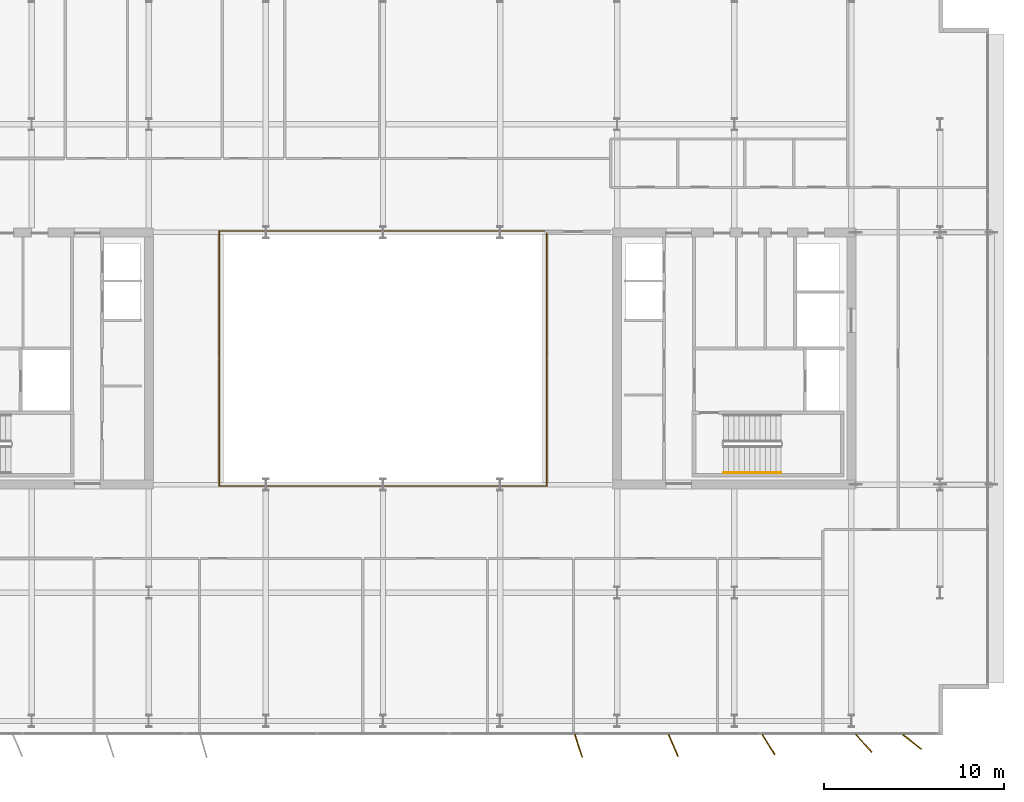
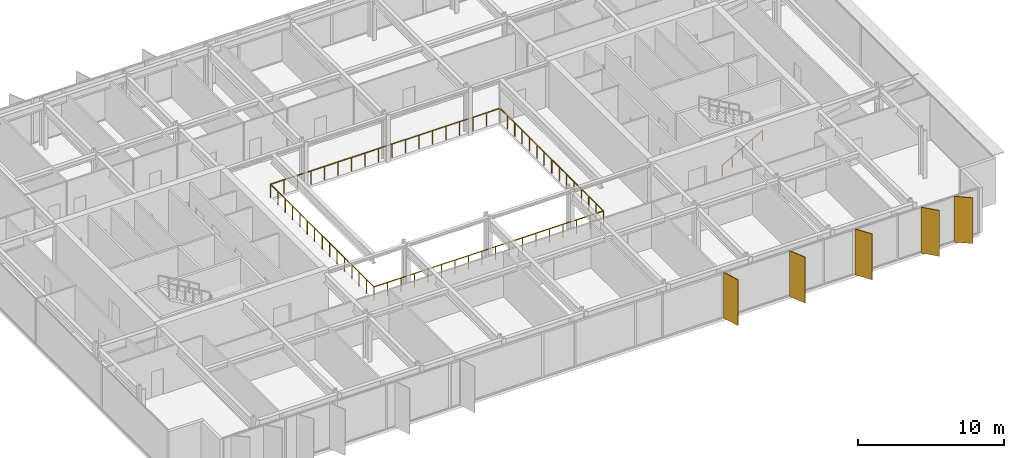
# One storey, part 18 of 20: 5 shading devices, 3 railings.
"""IFC4 building model written with IfcOpenShell, lengths in metres."""

import ifcopenshell
import ifcopenshell.guid

model = None  # the IFC model being written
_history = None  # IfcOwnerHistory: only IFC2X3 demands one
_inside = {}  # id of a spatial element -> (the spatial element, [elements in it])
_under = {}  # id of a project, library or spatial element -> (it, [spatial elements below it])
_declared = {}  # id of a project -> (the project, [libraries it declares])
_typed = {}  # id of a type object -> (the type object, [elements of that type])
_made_of = {}  # id of a material, layer set ... -> (it, [elements and type objects made of it])


def new_model(schema):
    """Start an empty IFC model of exactly this schema.

    Asked for "IFC4X3", IfcOpenShell would pick the latest addendum, in which some entities
    have other attributes; the version numbers below select the first issue.
    IFC2X3 requires an IfcOwnerHistory on every rooted entity: one is made here for all.
    """
    global model, _history
    if schema == "IFC4X3":
        model = ifcopenshell.file(schema_version=(4, 3, 0, 0))
    else:
        model = ifcopenshell.file(schema=schema)
    _inside.clear()
    _under.clear()
    _declared.clear()
    _typed.clear()
    _made_of.clear()
    _history = None
    if model.schema == "IFC2X3":
        org = make("IfcOrganization", Name="unknown")
        user = make(
            "IfcPersonAndOrganization",
            ThePerson=make("IfcPerson", FamilyName="unknown"),
            TheOrganization=org,
        )
        app = make(
            "IfcApplication",
            ApplicationDeveloper=org,
            Version="unknown",
            ApplicationFullName="unknown",
            ApplicationIdentifier="unknown",
        )
        _history = make(
            "IfcOwnerHistory",
            OwningUser=user,
            OwningApplication=app,
            ChangeAction="ADDED",
            CreationDate=0,
        )
    return model


def make(cls, **values):
    """One entity of the class cls with the attributes given. An attribute that is None is left unset."""
    return model.create_entity(
        cls, **{name: value for name, value in values.items() if value is not None}
    )


def rooted(cls, **values):
    """An entity with a GlobalId (a new one), such as an element, a storey or a relation."""
    return make(cls, GlobalId=ifcopenshell.guid.new(), OwnerHistory=_history, **values)


def si_unit(unit_type, name, prefix=None):
    """IfcSIUnit, for example si_unit("LENGTHUNIT", "METRE", prefix="MILLI")."""
    return make("IfcSIUnit", UnitType=unit_type, Prefix=prefix, Name=name)


def assignment(units):
    """IfcUnitAssignment: the units of a project."""
    return None if units is None else make("IfcUnitAssignment", Units=units)


def point(xyz):
    """IfcCartesianPoint."""
    return None if xyz is None else make("IfcCartesianPoint", Coordinates=xyz)


def direction(xyz):
    """IfcDirection."""
    return None if xyz is None else make("IfcDirection", DirectionRatios=xyz)


def frame(location, z_axis=None, x_axis=None):
    """IfcAxis2Placement3D, a coordinate frame: its origin and axes. An axis left out is left unset."""
    return make(
        "IfcAxis2Placement3D",
        Location=point(location),
        Axis=direction(z_axis),
        RefDirection=direction(x_axis),
    )


def frame_2d(location, x_axis=None):
    """IfcAxis2Placement2D, a coordinate frame in the plane: its origin and x axis."""
    return make(
        "IfcAxis2Placement2D", Location=point(location), RefDirection=direction(x_axis)
    )


def origin():
    """The frame at (0, 0, 0) with its axes left unset."""
    return frame((0.0, 0.0, 0.0))


def origin_2d():
    """The frame at (0, 0) in the plane with its x axis left unset."""
    return frame_2d((0.0, 0.0))


def place(relative_to, where):
    """IfcLocalPlacement: puts the frame where relative to a parent placement (None: the world)."""
    return make(
        "IfcLocalPlacement", PlacementRelTo=relative_to, RelativePlacement=where
    )


def context(
    kind, dimensions, precision=None, world=None, true_north=None, identifier=None
):
    """IfcGeometricRepresentationContext, for example the 3D "Model" context."""
    return make(
        "IfcGeometricRepresentationContext",
        ContextIdentifier=identifier,
        ContextType=kind,
        CoordinateSpaceDimension=dimensions,
        Precision=precision,
        WorldCoordinateSystem=world,
        TrueNorth=true_north,
    )


def subcontext(parent, identifier, kind, view, scale=None):
    """IfcGeometricRepresentationSubContext, for example "Body" below "Model"."""
    return make(
        "IfcGeometricRepresentationSubContext",
        ContextIdentifier=identifier,
        ContextType=kind,
        ParentContext=parent,
        TargetScale=scale,
        TargetView=view,
    )


def project(units=None, contexts=None):
    """IfcProject with its units and contexts."""
    return rooted(
        "IfcProject",
        Name="project",
        RepresentationContexts=contexts,
        UnitsInContext=assignment(units),
    )


def spatial(cls, under=None, at=None, **own):
    """A site, building, storey or space (cls), placed at a placement, below another one or the project."""
    s = rooted(cls, ObjectPlacement=at, **own)
    if under is not None:
        _under.setdefault(under.id(), (under, []))[1].append(s)
    return s


def profile(cls, at=None, kind="AREA", **sizes):
    """A parametric profile (cls). Its sizes go by their IFC names, for example OverallWidth=200.0."""
    return make(cls, ProfileType=kind, Position=at, **sizes)


def rectangle(**sizes):
    """IfcRectangleProfileDef."""
    return profile("IfcRectangleProfileDef", **sizes)


def circle(**sizes):
    """IfcCircleProfileDef."""
    return profile("IfcCircleProfileDef", **sizes)


def extrude(swept, where, along, depth):
    """IfcExtrudedAreaSolid: the profile swept, set in the frame where, extruded along a direction by depth."""
    return make(
        "IfcExtrudedAreaSolid",
        SweptArea=swept,
        Position=where,
        ExtrudedDirection=direction(along),
        Depth=depth,
    )


def shape(context_of_items, identifier, shape_type, items):
    """IfcShapeRepresentation: the items that make up one representation, for example the "Body"."""
    return make(
        "IfcShapeRepresentation",
        ContextOfItems=context_of_items,
        RepresentationIdentifier=identifier,
        RepresentationType=shape_type,
        Items=items,
    )


def material(Name=None, Category=None):
    """IfcMaterial."""
    return make("IfcMaterial", Name=Name, Category=Category)


def layer(
    of_material, thickness, ventilated=None, Name=None, Category=None, Priority=None
):
    """IfcMaterialLayer: one layer of a wall or slab, of a material (None: an air gap)."""
    return make(
        "IfcMaterialLayer",
        Material=of_material,
        LayerThickness=thickness,
        IsVentilated=ventilated,
        Name=Name,
        Category=Category,
        Priority=Priority,
    )


def layer_set(layers, Name=None):
    """IfcMaterialLayerSet."""
    return make("IfcMaterialLayerSet", MaterialLayers=layers, LayerSetName=Name)


def made_of(thing, what):
    """Note that an element or type object is made of a material, layer set ...; save() writes the relation."""
    if what is not None:
        _made_of.setdefault(what.id(), (what, []))[1].append(thing)
    return thing


def type_object(cls, material=None, **own):
    """A type object (cls), such as IfcWallType, which elements share."""
    return made_of(rooted(cls, **own), material)


def element(
    cls,
    number,
    at=None,
    inside=None,
    cuts=None,
    type_object=None,
    material=None,
    context=None,
    identifier="Body",
    shape_type=None,
    held_by="IfcProductDefinitionShape",
    body=None,
    shapes=None,
    **own,
):
    """One element of the class cls, such as IfcWall. Its Tag is "e" and its number.

    at: its placement. inside: the storey or other place that contains it. cuts: it is an
    opening in that element (IfcRelVoidsElement). A single representation is given by context,
    identifier, shape_type and body (its items); several are given by shapes. held_by: the class
    of the entity that holds the representations. save() writes the other relations.
    """
    e = rooted(cls, Tag="e%d" % number, ObjectPlacement=at, **own)
    if body is not None:
        shapes = [shape(context, identifier, shape_type, body)]
    if shapes is not None:
        e.Representation = make(held_by, Representations=shapes)
    if inside is not None:
        _inside.setdefault(inside.id(), (inside, []))[1].append(e)
    if cuts is not None:
        rooted(
            "IfcRelVoidsElement", RelatingBuildingElement=cuts, RelatedOpeningElement=e
        )
    if type_object is not None:
        _typed.setdefault(type_object.id(), (type_object, []))[1].append(e)
    return made_of(e, material)


def aggregate(whole, parts):
    """IfcRelAggregates: a whole, such as a stair, and the parts it consists of."""
    return rooted("IfcRelAggregates", RelatingObject=whole, RelatedObjects=parts)


def save(model, path):
    """Write the relations noted so far, then the file.

    IfcRelAggregates (storeys below a building ...), IfcRelContainedInSpatialStructure (elements
    in a storey), IfcRelDefinesByType, IfcRelAssociatesMaterial and IfcRelDeclares: one each for
    every whole, place, type object, material and project.
    """
    for whole, parts in _under.values():
        aggregate(whole, parts)
    for where, things in _inside.values():
        rooted(
            "IfcRelContainedInSpatialStructure",
            RelatedElements=things,
            RelatingStructure=where,
        )
    for kind, things in _typed.values():
        rooted("IfcRelDefinesByType", RelatedObjects=things, RelatingType=kind)
    for what, things in _made_of.values():
        rooted("IfcRelAssociatesMaterial", RelatedObjects=things, RelatingMaterial=what)
    for by, libraries in _declared.values():
        rooted("IfcRelDeclares", RelatingContext=by, RelatedDefinitions=libraries)
    model.write(path)


model = new_model("IFC4")

# Units and contexts
model_context = context("Model", 3, precision=1e-05, world=origin(), true_north=direction((0.0, 1.0)))
body_context = subcontext(model_context, "Body", "Model", "MODEL_VIEW")
ifc_project = project(units=[si_unit("LENGTHUNIT", "METRE"), si_unit("AREAUNIT", "SQUARE_METRE"), si_unit("VOLUMEUNIT", "CUBIC_METRE"), si_unit("PLANEANGLEUNIT", "RADIAN"), si_unit("MASSUNIT", "GRAM", prefix="KILO")], contexts=[model_context])

# Site, building, storey
site_placement = place(None, origin())
site = spatial("IfcSite", under=ifc_project, at=site_placement, CompositionType="ELEMENT")
building_placement = place(site_placement, origin())
building = spatial("IfcBuilding", under=site, at=building_placement, Name="Putna Gate Headquarters", CompositionType="ELEMENT")
storey_placement = place(building_placement, frame((0.0, 0.0, 282.39990234375)))
storey = spatial("IfcBuildingStorey", under=building, at=storey_placement, Name="L71", CompositionType="ELEMENT", Elevation=282.39990234375)

# Railings
ifc_material_1 = material(Name="Anodised bronze and laminated glass atrium balustrade", Category="glass")
railing_type_1 = type_object("IfcRailingType", Name="RAIL-ATRIUM-GUARD-1150", PredefinedType="GUARDRAIL", material=ifc_material_1)
railing_1_placement = place(storey_placement, frame((29.919921875, 25.969970703125, 0.0)))
element("IfcRailing", 1, at=railing_1_placement, inside=storey, type_object=railing_type_1, Name="L71 Central Atrium Glazed Balustrade South", PredefinedType="GUARDRAIL", context=body_context, shape_type="SweptSolid", body=[
    extrude(circle(Radius=0.02392578125, at=origin_2d()), frame((0.0, 0.0, 1.1259765625), z_axis=(0.0, -1.0, 0.0), x_axis=(1.0, 0.0, 0.0)), (0.0, 0.0, 1.0), 7.050048828125),
    extrude(circle(Radius=0.02392578125, at=origin_2d()), frame((0.0, -7.050048828125, 1.1259765625), z_axis=(1.0, 0.0, 0.0), x_axis=(0.0, 1.0, 0.0)), (0.0, 0.0, 1.0), 18.16015625),
    extrude(circle(Radius=0.02392578125, at=origin_2d()), frame((18.16015625, -7.050048828125, 1.1259765625), z_axis=(0.0, 1.0, 0.0), x_axis=(-1.0, 0.0, 0.0)), (0.0, 0.0, 1.0), 7.050048828125),
    extrude(circle(Radius=0.02099609375, at=origin_2d()), origin(), (0.0, 0.0, 1.0), 1.101806640625),
    extrude(circle(Radius=0.02099609375, at=origin_2d()), frame((0.0, -1.007080078125, 0.0)), (0.0, 0.0, 1.0), 1.101806640625),
    extrude(circle(Radius=0.02099609375, at=origin_2d()), frame((0.0, -2.014404296875, 0.0)), (0.0, 0.0, 1.0), 1.101806640625),
    extrude(circle(Radius=0.02099609375, at=origin_2d()), frame((0.0, -3.021484375, 0.0)), (0.0, 0.0, 1.0), 1.101806640625),
    extrude(circle(Radius=0.02099609375, at=origin_2d()), frame((0.0, -4.028564453125, 0.0)), (0.0, 0.0, 1.0), 1.101806640625),
    extrude(circle(Radius=0.02099609375, at=origin_2d()), frame((0.0, -5.03564453125, 0.0)), (0.0, 0.0, 1.0), 1.101806640625),
    extrude(circle(Radius=0.02099609375, at=origin_2d()), frame((0.0, -6.04296875, 0.0)), (0.0, 0.0, 1.0), 1.101806640625),
    extrude(circle(Radius=0.02099609375, at=origin_2d()), frame((0.0, -7.050048828125, 0.0)), (0.0, 0.0, 1.0), 1.101806640625),
    extrude(circle(Radius=0.02099609375, at=origin_2d()), frame((1.068359375, -7.050048828125, 0.0)), (0.0, 0.0, 1.0), 1.101806640625),
    extrude(circle(Radius=0.02099609375, at=origin_2d()), frame((2.136474609375, -7.050048828125, 0.0)), (0.0, 0.0, 1.0), 1.101806640625),
    extrude(circle(Radius=0.02099609375, at=origin_2d()), frame((3.204833984375, -7.050048828125, 0.0)), (0.0, 0.0, 1.0), 1.101806640625),
    extrude(circle(Radius=0.02099609375, at=origin_2d()), frame((4.27294921875, -7.050048828125, 0.0)), (0.0, 0.0, 1.0), 1.101806640625),
    extrude(circle(Radius=0.02099609375, at=origin_2d()), frame((5.34130859375, -7.050048828125, 0.0)), (0.0, 0.0, 1.0), 1.101806640625),
    extrude(circle(Radius=0.02099609375, at=origin_2d()), frame((6.409423828125, -7.050048828125, 0.0)), (0.0, 0.0, 1.0), 1.101806640625),
    extrude(circle(Radius=0.02099609375, at=origin_2d()), frame((7.477783203125, -7.050048828125, 0.0)), (0.0, 0.0, 1.0), 1.101806640625),
    extrude(circle(Radius=0.02099609375, at=origin_2d()), frame((8.5458984375, -7.050048828125, 0.0)), (0.0, 0.0, 1.0), 1.101806640625),
    extrude(circle(Radius=0.02099609375, at=origin_2d()), frame((9.6142578125, -7.050048828125, 0.0)), (0.0, 0.0, 1.0), 1.101806640625),
    extrude(circle(Radius=0.02099609375, at=origin_2d()), frame((10.682373046875, -7.050048828125, 0.0)), (0.0, 0.0, 1.0), 1.101806640625),
    extrude(circle(Radius=0.02099609375, at=origin_2d()), frame((11.750732421875, -7.050048828125, 0.0)), (0.0, 0.0, 1.0), 1.101806640625),
    extrude(circle(Radius=0.02099609375, at=origin_2d()), frame((12.81884765625, -7.050048828125, 0.0)), (0.0, 0.0, 1.0), 1.101806640625),
    extrude(circle(Radius=0.02099609375, at=origin_2d()), frame((13.88720703125, -7.050048828125, 0.0)), (0.0, 0.0, 1.0), 1.101806640625),
    extrude(circle(Radius=0.02099609375, at=origin_2d()), frame((14.955322265625, -7.050048828125, 0.0)), (0.0, 0.0, 1.0), 1.101806640625),
    extrude(circle(Radius=0.02099609375, at=origin_2d()), frame((16.023681640625, -7.050048828125, 0.0)), (0.0, 0.0, 1.0), 1.101806640625),
    extrude(circle(Radius=0.02099609375, at=origin_2d()), frame((17.091796875, -7.050048828125, 0.0)), (0.0, 0.0, 1.0), 1.101806640625),
    extrude(circle(Radius=0.02099609375, at=origin_2d()), frame((18.16015625, -7.050048828125, 0.0)), (0.0, 0.0, 1.0), 1.101806640625),
    extrude(circle(Radius=0.02099609375, at=origin_2d()), frame((18.16015625, -6.04296875, 0.0)), (0.0, 0.0, 1.0), 1.101806640625),
    extrude(circle(Radius=0.02099609375, at=origin_2d()), frame((18.16015625, -5.03564453125, 0.0)), (0.0, 0.0, 1.0), 1.101806640625),
    extrude(circle(Radius=0.02099609375, at=origin_2d()), frame((18.16015625, -4.028564453125, 0.0)), (0.0, 0.0, 1.0), 1.101806640625),
    extrude(circle(Radius=0.02099609375, at=origin_2d()), frame((18.16015625, -3.021484375, 0.0)), (0.0, 0.0, 1.0), 1.101806640625),
    extrude(circle(Radius=0.02099609375, at=origin_2d()), frame((18.16015625, -2.014404296875, 0.0)), (0.0, 0.0, 1.0), 1.101806640625),
    extrude(circle(Radius=0.02099609375, at=origin_2d()), frame((18.16015625, -1.007080078125, 0.0)), (0.0, 0.0, 1.0), 1.101806640625),
    extrude(circle(Radius=0.02099609375, at=origin_2d()), frame((18.16015625, 0.0, 0.0)), (0.0, 0.0, 1.0), 1.101806640625),
])
railing_2_placement = place(storey_placement, frame((48.080078125, 26.030029296875, 0.0)))
element("IfcRailing", 2, at=railing_2_placement, inside=storey, type_object=railing_type_1, Name="L71 Central Atrium Glazed Balustrade North", PredefinedType="GUARDRAIL", context=body_context, shape_type="SweptSolid", body=[
    extrude(circle(Radius=0.02392578125, at=origin_2d()), frame((0.0, 0.0, 1.1259765625), z_axis=(0.0, 1.0, 0.0), x_axis=(-1.0, 0.0, 0.0)), (0.0, 0.0, 1.0), 7.050048828125),
    extrude(circle(Radius=0.02392578125, at=origin_2d()), frame((0.0, 7.050048828125, 1.1259765625), z_axis=(-1.0, 0.0, 0.0), x_axis=(0.0, -1.0, 0.0)), (0.0, 0.0, 1.0), 18.16015625),
    extrude(circle(Radius=0.02392578125, at=origin_2d()), frame((-18.16015625, 7.050048828125, 1.1259765625), z_axis=(0.0, -1.0, 0.0), x_axis=(1.0, 0.0, 0.0)), (0.0, 0.0, 1.0), 7.050048828125),
    extrude(circle(Radius=0.02099609375, at=origin_2d()), origin(), (0.0, 0.0, 1.0), 1.101806640625),
    extrude(circle(Radius=0.02099609375, at=origin_2d()), frame((0.0, 1.007080078125, 0.0)), (0.0, 0.0, 1.0), 1.101806640625),
    extrude(circle(Radius=0.02099609375, at=origin_2d()), frame((0.0, 2.014404296875, 0.0)), (0.0, 0.0, 1.0), 1.101806640625),
    extrude(circle(Radius=0.02099609375, at=origin_2d()), frame((0.0, 3.021484375, 0.0)), (0.0, 0.0, 1.0), 1.101806640625),
    extrude(circle(Radius=0.02099609375, at=origin_2d()), frame((0.0, 4.028564453125, 0.0)), (0.0, 0.0, 1.0), 1.101806640625),
    extrude(circle(Radius=0.02099609375, at=origin_2d()), frame((0.0, 5.03564453125, 0.0)), (0.0, 0.0, 1.0), 1.101806640625),
    extrude(circle(Radius=0.02099609375, at=origin_2d()), frame((0.0, 6.04296875, 0.0)), (0.0, 0.0, 1.0), 1.101806640625),
    extrude(circle(Radius=0.02099609375, at=origin_2d()), frame((0.0, 7.050048828125, 0.0)), (0.0, 0.0, 1.0), 1.101806640625),
    extrude(circle(Radius=0.02099609375, at=origin_2d()), frame((-1.068359375, 7.050048828125, 0.0)), (0.0, 0.0, 1.0), 1.101806640625),
    extrude(circle(Radius=0.02099609375, at=origin_2d()), frame((-2.136474609375, 7.050048828125, 0.0)), (0.0, 0.0, 1.0), 1.101806640625),
    extrude(circle(Radius=0.02099609375, at=origin_2d()), frame((-3.204833984375, 7.050048828125, 0.0)), (0.0, 0.0, 1.0), 1.101806640625),
    extrude(circle(Radius=0.02099609375, at=origin_2d()), frame((-4.27294921875, 7.050048828125, 0.0)), (0.0, 0.0, 1.0), 1.101806640625),
    extrude(circle(Radius=0.02099609375, at=origin_2d()), frame((-5.34130859375, 7.050048828125, 0.0)), (0.0, 0.0, 1.0), 1.101806640625),
    extrude(circle(Radius=0.02099609375, at=origin_2d()), frame((-6.409423828125, 7.050048828125, 0.0)), (0.0, 0.0, 1.0), 1.101806640625),
    extrude(circle(Radius=0.02099609375, at=origin_2d()), frame((-7.477783203125, 7.050048828125, 0.0)), (0.0, 0.0, 1.0), 1.101806640625),
    extrude(circle(Radius=0.02099609375, at=origin_2d()), frame((-8.5458984375, 7.050048828125, 0.0)), (0.0, 0.0, 1.0), 1.101806640625),
    extrude(circle(Radius=0.02099609375, at=origin_2d()), frame((-9.6142578125, 7.050048828125, 0.0)), (0.0, 0.0, 1.0), 1.101806640625),
    extrude(circle(Radius=0.02099609375, at=origin_2d()), frame((-10.682373046875, 7.050048828125, 0.0)), (0.0, 0.0, 1.0), 1.101806640625),
    extrude(circle(Radius=0.02099609375, at=origin_2d()), frame((-11.750732421875, 7.050048828125, 0.0)), (0.0, 0.0, 1.0), 1.101806640625),
    extrude(circle(Radius=0.02099609375, at=origin_2d()), frame((-12.81884765625, 7.050048828125, 0.0)), (0.0, 0.0, 1.0), 1.101806640625),
    extrude(circle(Radius=0.02099609375, at=origin_2d()), frame((-13.88720703125, 7.050048828125, 0.0)), (0.0, 0.0, 1.0), 1.101806640625),
    extrude(circle(Radius=0.02099609375, at=origin_2d()), frame((-14.955322265625, 7.050048828125, 0.0)), (0.0, 0.0, 1.0), 1.101806640625),
    extrude(circle(Radius=0.02099609375, at=origin_2d()), frame((-16.023681640625, 7.050048828125, 0.0)), (0.0, 0.0, 1.0), 1.101806640625),
    extrude(circle(Radius=0.02099609375, at=origin_2d()), frame((-17.091796875, 7.050048828125, 0.0)), (0.0, 0.0, 1.0), 1.101806640625),
    extrude(circle(Radius=0.02099609375, at=origin_2d()), frame((-18.16015625, 7.050048828125, 0.0)), (0.0, 0.0, 1.0), 1.101806640625),
    extrude(circle(Radius=0.02099609375, at=origin_2d()), frame((-18.16015625, 6.04296875, 0.0)), (0.0, 0.0, 1.0), 1.101806640625),
    extrude(circle(Radius=0.02099609375, at=origin_2d()), frame((-18.16015625, 5.03564453125, 0.0)), (0.0, 0.0, 1.0), 1.101806640625),
    extrude(circle(Radius=0.02099609375, at=origin_2d()), frame((-18.16015625, 4.028564453125, 0.0)), (0.0, 0.0, 1.0), 1.101806640625),
    extrude(circle(Radius=0.02099609375, at=origin_2d()), frame((-18.16015625, 3.021484375, 0.0)), (0.0, 0.0, 1.0), 1.101806640625),
    extrude(circle(Radius=0.02099609375, at=origin_2d()), frame((-18.16015625, 2.014404296875, 0.0)), (0.0, 0.0, 1.0), 1.101806640625),
    extrude(circle(Radius=0.02099609375, at=origin_2d()), frame((-18.16015625, 1.007080078125, 0.0)), (0.0, 0.0, 1.0), 1.101806640625),
    extrude(circle(Radius=0.02099609375, at=origin_2d()), frame((-18.16015625, 0.0, 0.0)), (0.0, 0.0, 1.0), 1.101806640625),
])
ifc_material_2 = material(Name="Brushed stainless steel handrail", Category="steel")
railing_type_2 = type_object("IfcRailingType", Name="RAIL-STAIR-HAND-900", PredefinedType="HANDRAIL", material=ifc_material_2)
railing_3_placement = place(storey_placement, frame((57.89990234375, 19.64990234375, 0.166748046875)))
element("IfcRailing", 3, at=railing_3_placement, inside=storey, type_object=railing_type_2, Name="L71 ST2 stair handrail 1", PredefinedType="HANDRAIL", context=body_context, shape_type="SweptSolid", body=[
    extrude(circle(Radius=0.02392578125, at=origin_2d()), frame((0.0, 0.0, 0.8759765625), z_axis=(0.8670360191, 0.0, 0.498245463184), x_axis=(0.0, 1.0, 0.0)), (0.0, 0.0, 1.0), 3.679443359375),
    extrude(circle(Radius=0.02099609375, at=origin_2d()), origin(), (0.0, 0.0, 1.0), 0.851806640625),
    extrude(circle(Radius=0.02099609375, at=origin_2d()), frame((0.797607421875, 0.0, 0.458251953125)), (0.0, 0.0, 1.0), 0.851806640625),
    extrude(circle(Radius=0.02099609375, at=origin_2d()), frame((1.59521484375, 0.0, 0.91650390625)), (0.0, 0.0, 1.0), 0.851806640625),
    extrude(circle(Radius=0.02099609375, at=origin_2d()), frame((2.392578125, 0.0, 1.375)), (0.0, 0.0, 1.0), 0.851806640625),
    extrude(circle(Radius=0.02099609375, at=origin_2d()), frame((3.190185546875, 0.0, 1.833251953125)), (0.0, 0.0, 1.0), 0.851806640625),
])

# Shading devices
ifc_material_3 = material(Name="Anodised architectural bronze aluminium fin", Category="aluminium")
ifc_layer = layer(ifc_material_3, 0.06494140625)
ifc_layer_set = layer_set([ifc_layer], Name="Anodised architectural bronze aluminium fin")
shading_device_type = type_object("IfcShadingDeviceType", Name="SHADE-BRONZE-FIN-1320", PredefinedType="USERDEFINED", material=ifc_layer_set)
for number, where, z_axis, x_axis, name in (
    (4, (49.853759765625, 4.497314453125, -0.02001953125), (0.0, 0.0, 1.0), (0.308684994204, -0.951164325631, 0.0), "L71 Bronze Vertical Shading Fin S7"),
    (5, (55.114501953125, 4.520263671875, -0.02001953125), (0.0, 0.0, 1.0), (0.400668879095, -0.916222925562, 0.0), "L71 Bronze Vertical Shading Fin S8"),
    (6, (60.400146484375, 4.565673828125, -0.02001953125), (0.0, 0.0, 1.0), (0.530659123936, -0.847585331506, 0.0), "L71 Bronze Vertical Shading Fin S9"),
    (7, (65.691650390625, 4.634521484375, -0.02001953125), (0.0, 0.0, 1.0), (0.669130606359, -0.743144825477, 0.0), "L71 Bronze Vertical Shading Fin S10"),
    (8, (68.36962890625, 4.71826171875, -0.02001953125), (0.0, 0.0, 1.0), (0.787473187632, -0.616348909921, 0.0), "L71 Bronze Vertical Shading Fin S11"),
):
    element("IfcShadingDevice", number, at=place(storey_placement, frame(where, z_axis=z_axis, x_axis=x_axis)), inside=storey, type_object=shading_device_type, Name=name, ObjectType="FIN", PredefinedType="USERDEFINED", context=body_context, shape_type="SweptSolid", body=[
        extrude(rectangle(XDim=1.320068359375, YDim=0.06494140625, at=origin_2d()), origin(), (0.0, 0.0, 1.0), 3.827880859375),
    ])

save(model, "model.ifc")
